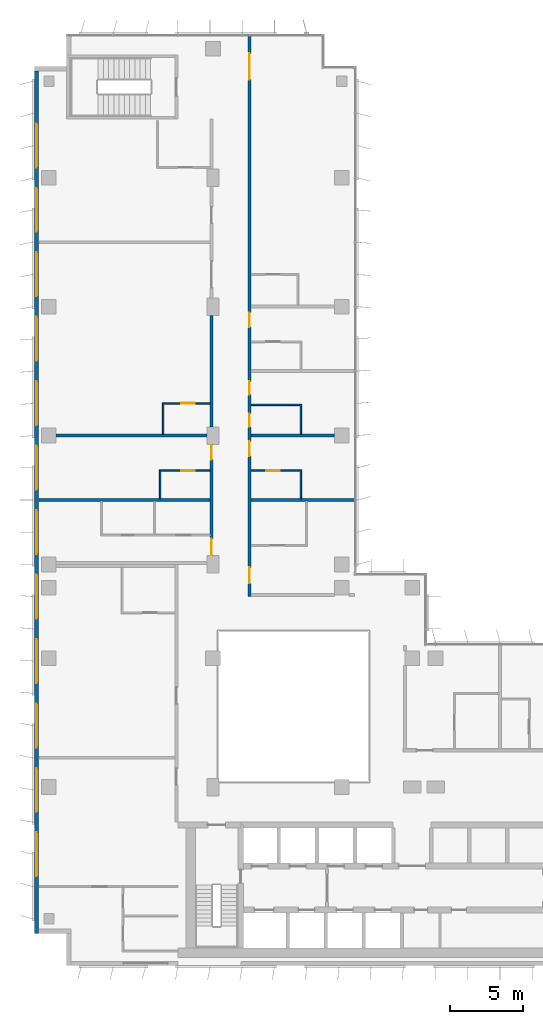
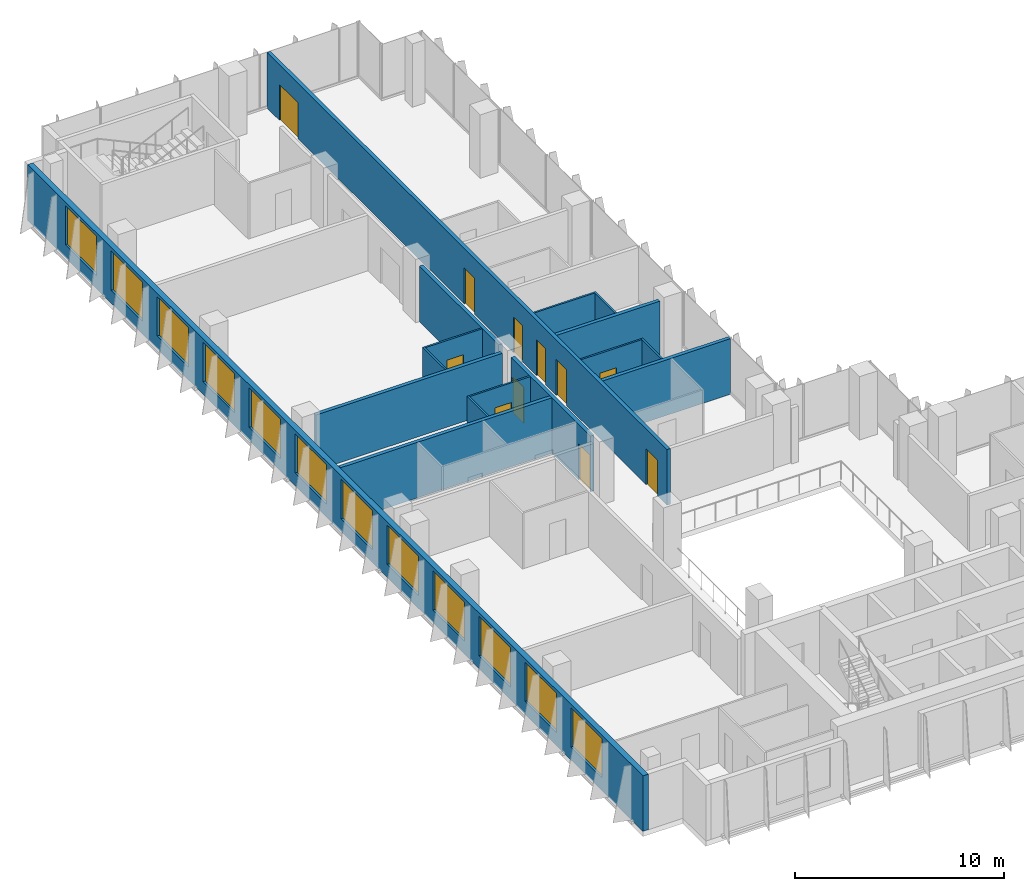
# One storey, part 16 of 21: 16 walls, 12 windows, 11 doors, 23 openings.
"""IFC4 building model written with IfcOpenShell, lengths in metres."""

from ifc_helpers import new_model, si_unit, direction, frame, frame_2d, origin, place, context, subcontext, project, spatial, rectangle, extrude, material, layer, layer_set, type_object, element, fill, save


model = new_model("IFC4")

# Units and contexts
model_context = context("Model", 3, precision=1e-05, world=origin(), true_north=direction((0.0, 1.0)))
body_context = subcontext(model_context, "Body", "Model", "MODEL_VIEW")
ifc_project = project(units=[si_unit("LENGTHUNIT", "METRE"), si_unit("AREAUNIT", "SQUARE_METRE"), si_unit("VOLUMEUNIT", "CUBIC_METRE"), si_unit("PLANEANGLEUNIT", "RADIAN"), si_unit("MASSUNIT", "GRAM", prefix="KILO")], contexts=[model_context])

# Site, building, storey
site_placement = place(None, origin())
site = spatial("IfcSite", under=ifc_project, at=site_placement, CompositionType="ELEMENT")
building_placement = place(site_placement, origin())
building = spatial("IfcBuilding", under=site, at=building_placement, Name="Kemantara Hotel Tower", CompositionType="ELEMENT")
storey_placement = place(building_placement, frame((0.0, 0.0, 198.800048828125)))
storey = spatial("IfcBuildingStorey", under=building, at=storey_placement, Name="L49", CompositionType="ELEMENT", Elevation=198.800048828125)

# Wall, openings, windows
ifc_material_1 = material(Name="Bronze anodised aluminium cladding on insulated steel stud wall", Category="steel")
ifc_layer_1 = layer(ifc_material_1, 0.300048828125)
ifc_layer_set_1 = layer_set([ifc_layer_1], Name="Bronze anodised aluminium cladding on insulated steel stud wall")
wall_type_1 = type_object("IfcWallType", Name="BRONZE METAL-CLAD EXTERNAL WALL 300", PredefinedType="STANDARD", material=ifc_layer_set_1)
wall_1_placement = place(storey_placement, frame((0.14990234375, 61.10009765625, 0.0), z_axis=(0.0, 0.0, 1.0), x_axis=(0.0, -1.0, 0.0)))
wall_1 = element("IfcWall", 1, at=wall_1_placement, inside=storey, type_object=wall_type_1, Name="EXTERNAL WALL L49 T3-R05", PredefinedType="STANDARD", context=body_context, shape_type="SweptSolid", body=[
    extrude(rectangle(XDim=58.900146484375, YDim=0.300048828125, at=frame_2d((29.4501953125, 0.0))), origin(), (0.0, 0.0, 1.0), 3.25),
])
opening_1_placement = place(wall_1_placement, frame((3.60009765625, 0.0, 0.75)))
opening_1 = element("IfcOpeningElement", 2, at=opening_1_placement, cuts=wall_1, Name="Opening W1", PredefinedType="OPENING", context=body_context, shape_type="SweptSolid", body=[
    extrude(rectangle(XDim=3.0, YDim=2.300048828125, at=frame_2d((1.5, 1.14990234375))), frame((0.0, 0.159912109375, 0.0), z_axis=(0.0, -1.0, 0.0), x_axis=(1.0, 0.0, 0.0)), (0.0, 0.0, 1.0), 0.320068359375),
])
opening_2_placement = place(wall_1_placement, frame((8.0, 0.0, 0.75)))
opening_2 = element("IfcOpeningElement", 3, at=opening_2_placement, cuts=wall_1, Name="Opening W1", PredefinedType="OPENING", context=body_context, shape_type="SweptSolid", body=[
    extrude(rectangle(XDim=3.0, YDim=2.300048828125, at=frame_2d((1.5, 1.14990234375))), frame((0.0, 0.159912109375, 0.0), z_axis=(0.0, -1.0, 0.0), x_axis=(1.0, 0.0, 0.0)), (0.0, 0.0, 1.0), 0.320068359375),
])
opening_3_placement = place(wall_1_placement, frame((12.39990234375, 0.0, 0.75)))
opening_3 = element("IfcOpeningElement", 4, at=opening_3_placement, cuts=wall_1, Name="Opening W1", PredefinedType="OPENING", context=body_context, shape_type="SweptSolid", body=[
    extrude(rectangle(XDim=3.0, YDim=2.300048828125, at=frame_2d((1.5, 1.14990234375))), frame((0.0, 0.159912109375, 0.0), z_axis=(0.0, -1.0, 0.0), x_axis=(1.0, 0.0, 0.0)), (0.0, 0.0, 1.0), 0.320068359375),
])
opening_4_placement = place(wall_1_placement, frame((16.800048828125, 0.0, 0.75)))
opening_4 = element("IfcOpeningElement", 5, at=opening_4_placement, cuts=wall_1, Name="Opening W1", PredefinedType="OPENING", context=body_context, shape_type="SweptSolid", body=[
    extrude(rectangle(XDim=3.0, YDim=2.300048828125, at=frame_2d((1.5, 1.14990234375))), frame((0.0, 0.159912109375, 0.0), z_axis=(0.0, -1.0, 0.0), x_axis=(1.0, 0.0, 0.0)), (0.0, 0.0, 1.0), 0.320068359375),
])
opening_5_placement = place(wall_1_placement, frame((21.199951171875, 0.0, 0.75)))
opening_5 = element("IfcOpeningElement", 6, at=opening_5_placement, cuts=wall_1, Name="Opening W1", PredefinedType="OPENING", context=body_context, shape_type="SweptSolid", body=[
    extrude(rectangle(XDim=3.0, YDim=2.300048828125, at=frame_2d((1.5, 1.14990234375))), frame((0.0, 0.159912109375, 0.0), z_axis=(0.0, -1.0, 0.0), x_axis=(1.0, 0.0, 0.0)), (0.0, 0.0, 1.0), 0.320068359375),
])
opening_6_placement = place(wall_1_placement, frame((25.60009765625, 0.0, 0.75)))
opening_6 = element("IfcOpeningElement", 7, at=opening_6_placement, cuts=wall_1, Name="Opening W1", PredefinedType="OPENING", context=body_context, shape_type="SweptSolid", body=[
    extrude(rectangle(XDim=3.0, YDim=2.300048828125, at=frame_2d((1.5, 1.14990234375))), frame((0.0, 0.159912109375, 0.0), z_axis=(0.0, -1.0, 0.0), x_axis=(1.0, 0.0, 0.0)), (0.0, 0.0, 1.0), 0.320068359375),
])
opening_7_placement = place(wall_1_placement, frame((30.0, 0.0, 0.75)))
opening_7 = element("IfcOpeningElement", 8, at=opening_7_placement, cuts=wall_1, Name="Opening W1", PredefinedType="OPENING", context=body_context, shape_type="SweptSolid", body=[
    extrude(rectangle(XDim=3.0, YDim=2.300048828125, at=frame_2d((1.5, 1.14990234375))), frame((0.0, 0.159912109375, 0.0), z_axis=(0.0, -1.0, 0.0), x_axis=(1.0, 0.0, 0.0)), (0.0, 0.0, 1.0), 0.320068359375),
])
opening_8_placement = place(wall_1_placement, frame((34.39990234375, 0.0, 0.75)))
opening_8 = element("IfcOpeningElement", 9, at=opening_8_placement, cuts=wall_1, Name="Opening W1", PredefinedType="OPENING", context=body_context, shape_type="SweptSolid", body=[
    extrude(rectangle(XDim=3.0, YDim=2.300048828125, at=frame_2d((1.5, 1.14990234375))), frame((0.0, 0.159912109375, 0.0), z_axis=(0.0, -1.0, 0.0), x_axis=(1.0, 0.0, 0.0)), (0.0, 0.0, 1.0), 0.320068359375),
])
opening_9_placement = place(wall_1_placement, frame((38.800048828125, 0.0, 0.75)))
opening_9 = element("IfcOpeningElement", 10, at=opening_9_placement, cuts=wall_1, Name="Opening W1", PredefinedType="OPENING", context=body_context, shape_type="SweptSolid", body=[
    extrude(rectangle(XDim=3.0, YDim=2.300048828125, at=frame_2d((1.5, 1.14990234375))), frame((0.0, 0.159912109375, 0.0), z_axis=(0.0, -1.0, 0.0), x_axis=(1.0, 0.0, 0.0)), (0.0, 0.0, 1.0), 0.320068359375),
])
opening_10_placement = place(wall_1_placement, frame((43.199951171875, 0.0, 0.75)))
opening_10 = element("IfcOpeningElement", 11, at=opening_10_placement, cuts=wall_1, Name="Opening W1", PredefinedType="OPENING", context=body_context, shape_type="SweptSolid", body=[
    extrude(rectangle(XDim=3.0, YDim=2.300048828125, at=frame_2d((1.5, 1.14990234375))), frame((0.0, 0.159912109375, 0.0), z_axis=(0.0, -1.0, 0.0), x_axis=(1.0, 0.0, 0.0)), (0.0, 0.0, 1.0), 0.320068359375),
])
opening_11_placement = place(wall_1_placement, frame((47.60009765625, 0.0, 0.75)))
opening_11 = element("IfcOpeningElement", 12, at=opening_11_placement, cuts=wall_1, Name="Opening W1", PredefinedType="OPENING", context=body_context, shape_type="SweptSolid", body=[
    extrude(rectangle(XDim=3.0, YDim=2.300048828125, at=frame_2d((1.5, 1.14990234375))), frame((0.0, 0.159912109375, 0.0), z_axis=(0.0, -1.0, 0.0), x_axis=(1.0, 0.0, 0.0)), (0.0, 0.0, 1.0), 0.320068359375),
])
opening_12_placement = place(wall_1_placement, frame((52.0, 0.0, 0.75)))
opening_12 = element("IfcOpeningElement", 13, at=opening_12_placement, cuts=wall_1, Name="Opening W1", PredefinedType="OPENING", context=body_context, shape_type="SweptSolid", body=[
    extrude(rectangle(XDim=3.0, YDim=2.300048828125, at=frame_2d((1.5, 1.14990234375))), frame((0.0, 0.159912109375, 0.0), z_axis=(0.0, -1.0, 0.0), x_axis=(1.0, 0.0, 0.0)), (0.0, 0.0, 1.0), 0.320068359375),
])
ifc_material_2 = material(Name="Low-E tinted double insulated glass in bronze anodised aluminium frame", Category="aluminium")
window_type = type_object("IfcWindowType", Name="CHICAGO WINDOW, TRIPLE PANEL 3000x2300", PartitioningType="TRIPLE_PANEL_VERTICAL", PredefinedType="WINDOW", material=ifc_material_2)
window_1_placement = place(opening_1_placement, origin())
window_1 = element("IfcWindow", 14, at=window_1_placement, inside=storey, type_object=window_type, Name="CHICAGO WINDOW L49 T3-R05-54", OverallHeight=2.300048828125, OverallWidth=3.0, PartitioningType="SINGLE_PANEL", PredefinedType="WINDOW", context=body_context, shape_type="SweptSolid", body=[
    extrude(rectangle(XDim=3.0, YDim=2.300048828125, at=frame_2d((1.5, 1.14990234375))), frame((0.0, 0.030029296875, 0.0), z_axis=(0.0, -1.0, 0.0), x_axis=(1.0, 0.0, 0.0)), (0.0, 0.0, 1.0), 0.06005859375),
])
fill(opening_1, window_1)
window_2_placement = place(opening_2_placement, origin())
window_2 = element("IfcWindow", 15, at=window_2_placement, inside=storey, type_object=window_type, Name="CHICAGO WINDOW L49 T3-R05-98", OverallHeight=2.300048828125, OverallWidth=3.0, PartitioningType="SINGLE_PANEL", PredefinedType="WINDOW", context=body_context, shape_type="SweptSolid", body=[
    extrude(rectangle(XDim=3.0, YDim=2.300048828125, at=frame_2d((1.5, 1.14990234375))), frame((0.0, 0.030029296875, 0.0), z_axis=(0.0, -1.0, 0.0), x_axis=(1.0, 0.0, 0.0)), (0.0, 0.0, 1.0), 0.06005859375),
])
fill(opening_2, window_2)
window_3_placement = place(opening_3_placement, origin())
window_3 = element("IfcWindow", 16, at=window_3_placement, inside=storey, type_object=window_type, Name="CHICAGO WINDOW L49 T3-R05-142", OverallHeight=2.300048828125, OverallWidth=3.0, PartitioningType="SINGLE_PANEL", PredefinedType="WINDOW", context=body_context, shape_type="SweptSolid", body=[
    extrude(rectangle(XDim=3.0, YDim=2.300048828125, at=frame_2d((1.5, 1.14990234375))), frame((0.0, 0.030029296875, 0.0), z_axis=(0.0, -1.0, 0.0), x_axis=(1.0, 0.0, 0.0)), (0.0, 0.0, 1.0), 0.06005859375),
])
fill(opening_3, window_3)
window_4_placement = place(opening_4_placement, origin())
window_4 = element("IfcWindow", 17, at=window_4_placement, inside=storey, type_object=window_type, Name="CHICAGO WINDOW L49 T3-R05-186", OverallHeight=2.300048828125, OverallWidth=3.0, PartitioningType="SINGLE_PANEL", PredefinedType="WINDOW", context=body_context, shape_type="SweptSolid", body=[
    extrude(rectangle(XDim=3.0, YDim=2.300048828125, at=frame_2d((1.5, 1.14990234375))), frame((0.0, 0.030029296875, 0.0), z_axis=(0.0, -1.0, 0.0), x_axis=(1.0, 0.0, 0.0)), (0.0, 0.0, 1.0), 0.06005859375),
])
fill(opening_4, window_4)
window_5_placement = place(opening_5_placement, origin())
window_5 = element("IfcWindow", 18, at=window_5_placement, inside=storey, type_object=window_type, Name="CHICAGO WINDOW L49 T3-R05-230", OverallHeight=2.300048828125, OverallWidth=3.0, PartitioningType="SINGLE_PANEL", PredefinedType="WINDOW", context=body_context, shape_type="SweptSolid", body=[
    extrude(rectangle(XDim=3.0, YDim=2.300048828125, at=frame_2d((1.5, 1.14990234375))), frame((0.0, 0.030029296875, 0.0), z_axis=(0.0, -1.0, 0.0), x_axis=(1.0, 0.0, 0.0)), (0.0, 0.0, 1.0), 0.06005859375),
])
fill(opening_5, window_5)
window_6_placement = place(opening_6_placement, origin())
window_6 = element("IfcWindow", 19, at=window_6_placement, inside=storey, type_object=window_type, Name="CHICAGO WINDOW L49 T3-R05-274", OverallHeight=2.300048828125, OverallWidth=3.0, PartitioningType="SINGLE_PANEL", PredefinedType="WINDOW", context=body_context, shape_type="SweptSolid", body=[
    extrude(rectangle(XDim=3.0, YDim=2.300048828125, at=frame_2d((1.5, 1.14990234375))), frame((0.0, 0.030029296875, 0.0), z_axis=(0.0, -1.0, 0.0), x_axis=(1.0, 0.0, 0.0)), (0.0, 0.0, 1.0), 0.06005859375),
])
fill(opening_6, window_6)
window_7_placement = place(opening_7_placement, origin())
window_7 = element("IfcWindow", 20, at=window_7_placement, inside=storey, type_object=window_type, Name="CHICAGO WINDOW L49 T3-R05-318", OverallHeight=2.300048828125, OverallWidth=3.0, PartitioningType="SINGLE_PANEL", PredefinedType="WINDOW", context=body_context, shape_type="SweptSolid", body=[
    extrude(rectangle(XDim=3.0, YDim=2.300048828125, at=frame_2d((1.5, 1.14990234375))), frame((0.0, 0.030029296875, 0.0), z_axis=(0.0, -1.0, 0.0), x_axis=(1.0, 0.0, 0.0)), (0.0, 0.0, 1.0), 0.06005859375),
])
fill(opening_7, window_7)
window_8_placement = place(opening_8_placement, origin())
window_8 = element("IfcWindow", 21, at=window_8_placement, inside=storey, type_object=window_type, Name="CHICAGO WINDOW L49 T3-R05-362", OverallHeight=2.300048828125, OverallWidth=3.0, PartitioningType="SINGLE_PANEL", PredefinedType="WINDOW", context=body_context, shape_type="SweptSolid", body=[
    extrude(rectangle(XDim=3.0, YDim=2.300048828125, at=frame_2d((1.5, 1.14990234375))), frame((0.0, 0.030029296875, 0.0), z_axis=(0.0, -1.0, 0.0), x_axis=(1.0, 0.0, 0.0)), (0.0, 0.0, 1.0), 0.06005859375),
])
fill(opening_8, window_8)
window_9_placement = place(opening_9_placement, origin())
window_9 = element("IfcWindow", 22, at=window_9_placement, inside=storey, type_object=window_type, Name="CHICAGO WINDOW L49 T3-R05-406", OverallHeight=2.300048828125, OverallWidth=3.0, PartitioningType="SINGLE_PANEL", PredefinedType="WINDOW", context=body_context, shape_type="SweptSolid", body=[
    extrude(rectangle(XDim=3.0, YDim=2.300048828125, at=frame_2d((1.5, 1.14990234375))), frame((0.0, 0.030029296875, 0.0), z_axis=(0.0, -1.0, 0.0), x_axis=(1.0, 0.0, 0.0)), (0.0, 0.0, 1.0), 0.06005859375),
])
fill(opening_9, window_9)
window_10_placement = place(opening_10_placement, origin())
window_10 = element("IfcWindow", 23, at=window_10_placement, inside=storey, type_object=window_type, Name="CHICAGO WINDOW L49 T3-R05-450", OverallHeight=2.300048828125, OverallWidth=3.0, PartitioningType="SINGLE_PANEL", PredefinedType="WINDOW", context=body_context, shape_type="SweptSolid", body=[
    extrude(rectangle(XDim=3.0, YDim=2.300048828125, at=frame_2d((1.5, 1.14990234375))), frame((0.0, 0.030029296875, 0.0), z_axis=(0.0, -1.0, 0.0), x_axis=(1.0, 0.0, 0.0)), (0.0, 0.0, 1.0), 0.06005859375),
])
fill(opening_10, window_10)
window_11_placement = place(opening_11_placement, origin())
window_11 = element("IfcWindow", 24, at=window_11_placement, inside=storey, type_object=window_type, Name="CHICAGO WINDOW L49 T3-R05-494", OverallHeight=2.300048828125, OverallWidth=3.0, PartitioningType="SINGLE_PANEL", PredefinedType="WINDOW", context=body_context, shape_type="SweptSolid", body=[
    extrude(rectangle(XDim=3.0, YDim=2.300048828125, at=frame_2d((1.5, 1.14990234375))), frame((0.0, 0.030029296875, 0.0), z_axis=(0.0, -1.0, 0.0), x_axis=(1.0, 0.0, 0.0)), (0.0, 0.0, 1.0), 0.06005859375),
])
fill(opening_11, window_11)
window_12_placement = place(opening_12_placement, origin())
window_12 = element("IfcWindow", 25, at=window_12_placement, inside=storey, type_object=window_type, Name="CHICAGO WINDOW L49 T3-R05-538", OverallHeight=2.300048828125, OverallWidth=3.0, PartitioningType="SINGLE_PANEL", PredefinedType="WINDOW", context=body_context, shape_type="SweptSolid", body=[
    extrude(rectangle(XDim=3.0, YDim=2.300048828125, at=frame_2d((1.5, 1.14990234375))), frame((0.0, 0.030029296875, 0.0), z_axis=(0.0, -1.0, 0.0), x_axis=(1.0, 0.0, 0.0)), (0.0, 0.0, 1.0), 0.06005859375),
])
fill(opening_12, window_12)

# Wall, openings, doors
ifc_material_3 = material(Name="Gypsum board partition, steel studs and mineral wool, 200 mm", Category="steel")
ifc_layer_2 = layer(ifc_material_3, 0.199951171875)
ifc_layer_set_2 = layer_set([ifc_layer_2], Name="Gypsum board partition, steel studs and mineral wool, 200 mm")
wall_type_2 = type_object("IfcWallType", Name="CORRIDOR WALL 200", PredefinedType="PARTITIONING", material=ifc_layer_set_2)
wall_2_placement = place(storey_placement, frame((12.10009765625, 28.0, 0.0), z_axis=(0.0, 0.0, 1.0), x_axis=(0.0, 1.0, 0.0)))
wall_2 = element("IfcWall", 26, at=wall_2_placement, inside=storey, type_object=wall_type_2, Name="CORRIDOR WALL 200 017", PredefinedType="PARTITIONING", context=body_context, shape_type="SweptSolid", body=[
    extrude(rectangle(XDim=7.599853515625, YDim=0.199951171875, at=frame_2d((3.7998046875, 0.0))), origin(), (0.0, 0.0, 1.0), 3.25),
])
opening_13_placement = place(wall_2_placement, frame((0.0498046875, 0.0, 0.0)))
opening_13 = element("IfcOpeningElement", 27, at=opening_13_placement, cuts=wall_2, Name="Opening F23-025", PredefinedType="OPENING", context=body_context, shape_type="SweptSolid", body=[
    extrude(rectangle(XDim=1.10009765625, YDim=2.10009765625, at=frame_2d((0.550048828125, 1.050048828125))), frame((0.0, 0.10986328125, 0.0), z_axis=(0.0, -1.0, 0.0), x_axis=(1.0, 0.0, 0.0)), (0.0, 0.0, 1.0), 0.219970703125),
])
opening_14_placement = place(wall_2_placement, frame((6.5498046875, 0.0, 0.0)))
opening_14 = element("IfcOpeningElement", 28, at=opening_14_placement, cuts=wall_2, Name="Opening F23-028", PredefinedType="OPENING", context=body_context, shape_type="SweptSolid", body=[
    extrude(rectangle(XDim=1.0, YDim=2.10009765625, at=frame_2d((0.5, 1.050048828125))), frame((0.0, 0.10986328125, 0.0), z_axis=(0.0, -1.0, 0.0), x_axis=(1.0, 0.0, 0.0)), (0.0, 0.0, 1.0), 0.219970703125),
])
ifc_material_4 = material(Name="Hardwood veneer door leaf with steel frame", Category="steel")
door_type_1 = type_object("IfcDoorType", Name="GUEST ROOM DOOR 1000 X 2100 FD30S", OperationType="NOTDEFINED", PredefinedType="DOOR", material=ifc_material_4)
door_1_placement = place(opening_14_placement, origin())
door_1 = element("IfcDoor", 29, at=door_1_placement, inside=storey, type_object=door_type_1, Name="GUEST ROOM DOOR F23-028", OperationType="SINGLE_SWING_RIGHT", OverallHeight=2.10009765625, OverallWidth=1.0, PredefinedType="DOOR", context=body_context, shape_type="SweptSolid", body=[
    extrude(rectangle(XDim=1.0, YDim=2.10009765625, at=frame_2d((0.5, 1.050048828125))), frame((0.0, 0.02490234375, 0.0), z_axis=(0.0, -1.0, 0.0), x_axis=(1.0, 0.0, 0.0)), (0.0, 0.0, 1.0), 0.050048828125),
])
fill(opening_14, door_1)
door_type_2 = type_object("IfcDoorType", Name="GUEST ROOM DOOR 1100 X 2100 FD30S", OperationType="NOTDEFINED", PredefinedType="DOOR", material=ifc_material_4)
door_2_placement = place(opening_13_placement, origin())
door_2 = element("IfcDoor", 30, at=door_2_placement, inside=storey, type_object=door_type_2, Name="GUEST ROOM DOOR F23-025", OperationType="SINGLE_SWING_LEFT", OverallHeight=2.10009765625, OverallWidth=1.10009765625, PredefinedType="DOOR", context=body_context, shape_type="SweptSolid", body=[
    extrude(rectangle(XDim=1.10009765625, YDim=2.10009765625, at=frame_2d((0.550048828125, 1.050048828125))), frame((0.0, 0.02490234375, 0.0), z_axis=(0.0, -1.0, 0.0), x_axis=(1.0, 0.0, 0.0)), (0.0, 0.0, 1.0), 0.050048828125),
])
fill(opening_13, door_2)

# Wall
wall_3_placement = place(storey_placement, frame((12.10009765625, 36.800048828125, 0.0), z_axis=(0.0, 0.0, 1.0), x_axis=(0.0, 1.0, 0.0)))
element("IfcWall", 31, at=wall_3_placement, inside=storey, type_object=wall_type_2, Name="CORRIDOR WALL 200 018", PredefinedType="PARTITIONING", context=body_context, shape_type="SweptSolid", body=[
    extrude(rectangle(XDim=7.599853515625, YDim=0.199951171875, at=frame_2d((3.7998046875, 0.0))), origin(), (0.0, 0.0, 1.0), 3.25),
])

# Wall, openings, doors
wall_4_placement = place(storey_placement, frame((14.699951171875, 63.47998046875, 0.0), z_axis=(0.0, 0.0, 1.0), x_axis=(0.0, -1.0, 0.0)))
wall_4 = element("IfcWall", 32, at=wall_4_placement, inside=storey, type_object=wall_type_2, Name="CORRIDOR WALL 200 027", PredefinedType="PARTITIONING", context=body_context, shape_type="SweptSolid", body=[
    extrude(rectangle(XDim=38.280029296875, YDim=0.199951171875, at=frame_2d((19.14013671875, 0.0))), origin(), (0.0, 0.0, 1.0), 3.25),
])
opening_15_placement = place(wall_4_placement, frame((36.27978515625, 0.0, 0.0)))
opening_15 = element("IfcOpeningElement", 33, at=opening_15_placement, cuts=wall_4, Name="Opening F23-034", PredefinedType="OPENING", context=body_context, shape_type="SweptSolid", body=[
    extrude(rectangle(XDim=1.10009765625, YDim=2.10009765625, at=frame_2d((0.550048828125, 1.050048828125))), frame((0.0, 0.10986328125, 0.0), z_axis=(0.0, -1.0, 0.0), x_axis=(1.0, 0.0, 0.0)), (0.0, 0.0, 1.0), 0.219970703125),
])
opening_16_placement = place(wall_4_placement, frame((27.679931640625, 0.0, 0.0)))
opening_16 = element("IfcOpeningElement", 34, at=opening_16_placement, cuts=wall_4, Name="Opening F23-036", PredefinedType="OPENING", context=body_context, shape_type="SweptSolid", body=[
    extrude(rectangle(XDim=1.0, YDim=2.10009765625, at=frame_2d((0.5, 1.050048828125))), frame((0.0, 0.10986328125, 0.0), z_axis=(0.0, -1.0, 0.0), x_axis=(1.0, 0.0, 0.0)), (0.0, 0.0, 1.0), 0.219970703125),
])
opening_17_placement = place(wall_4_placement, frame((23.579833984375, 0.0, 0.0)))
opening_17 = element("IfcOpeningElement", 35, at=opening_17_placement, cuts=wall_4, Name="Opening F23-038", PredefinedType="OPENING", context=body_context, shape_type="SweptSolid", body=[
    extrude(rectangle(XDim=0.89990234375, YDim=2.10009765625, at=frame_2d((0.449951171875, 1.050048828125))), frame((0.0, 0.10986328125, 0.0), z_axis=(0.0, -1.0, 0.0), x_axis=(1.0, 0.0, 0.0)), (0.0, 0.0, 1.0), 0.219970703125),
])
opening_18_placement = place(wall_4_placement, frame((25.77978515625, 0.0, 0.0)))
opening_18 = element("IfcOpeningElement", 36, at=opening_18_placement, cuts=wall_4, Name="Opening F23-039", PredefinedType="OPENING", context=body_context, shape_type="SweptSolid", body=[
    extrude(rectangle(XDim=0.89990234375, YDim=2.10009765625, at=frame_2d((0.449951171875, 1.050048828125))), frame((0.0, 0.10986328125, 0.0), z_axis=(0.0, -1.0, 0.0), x_axis=(1.0, 0.0, 0.0)), (0.0, 0.0, 1.0), 0.219970703125),
])
opening_19_placement = place(wall_4_placement, frame((18.8798828125, 0.0, 0.0)))
opening_19 = element("IfcOpeningElement", 37, at=opening_19_placement, cuts=wall_4, Name="Opening F23-040", PredefinedType="OPENING", context=body_context, shape_type="SweptSolid", body=[
    extrude(rectangle(XDim=1.0, YDim=2.10009765625, at=frame_2d((0.5, 1.050048828125))), frame((0.0, 0.10986328125, 0.0), z_axis=(0.0, -1.0, 0.0), x_axis=(1.0, 0.0, 0.0)), (0.0, 0.0, 1.0), 0.219970703125),
])
opening_20_placement = place(wall_4_placement, frame((1.179931640625, 0.0, 0.0)))
opening_20 = element("IfcOpeningElement", 38, at=opening_20_placement, cuts=wall_4, Name="Opening F23-042", PredefinedType="OPENING", context=body_context, shape_type="SweptSolid", body=[
    extrude(rectangle(XDim=1.800048828125, YDim=2.10009765625, at=frame_2d((0.89990234375, 1.050048828125))), frame((0.0, 0.10986328125, 0.0), z_axis=(0.0, -1.0, 0.0), x_axis=(1.0, 0.0, 0.0)), (0.0, 0.0, 1.0), 0.219970703125),
])
door_type_3 = type_object("IfcDoorType", Name="AMENITY ROOM DOOR 1800 X 2100 FD30S", OperationType="NOTDEFINED", PredefinedType="DOOR", material=ifc_material_4)
door_3_placement = place(opening_20_placement, origin())
door_3 = element("IfcDoor", 39, at=door_3_placement, inside=storey, type_object=door_type_3, Name="AMENITY ROOM DOOR F23-042", OperationType="DOUBLE_DOOR_SINGLE_SWING", OverallHeight=2.10009765625, OverallWidth=1.800048828125, PredefinedType="DOOR", context=body_context, shape_type="SweptSolid", body=[
    extrude(rectangle(XDim=1.800048828125, YDim=2.10009765625, at=frame_2d((0.89990234375, 1.050048828125))), frame((0.0, 0.02490234375, 0.0), z_axis=(0.0, -1.0, 0.0), x_axis=(1.0, 0.0, 0.0)), (0.0, 0.0, 1.0), 0.050048828125),
])
fill(opening_20, door_3)
door_4_placement = place(opening_16_placement, origin())
door_4 = element("IfcDoor", 40, at=door_4_placement, inside=storey, type_object=door_type_1, Name="GUEST ROOM DOOR F23-036", OperationType="SINGLE_SWING_LEFT", OverallHeight=2.10009765625, OverallWidth=1.0, PredefinedType="DOOR", context=body_context, shape_type="SweptSolid", body=[
    extrude(rectangle(XDim=1.0, YDim=2.10009765625, at=frame_2d((0.5, 1.050048828125))), frame((0.0, 0.02490234375, 0.0), z_axis=(0.0, -1.0, 0.0), x_axis=(1.0, 0.0, 0.0)), (0.0, 0.0, 1.0), 0.050048828125),
])
fill(opening_16, door_4)
door_5_placement = place(opening_19_placement, origin())
door_5 = element("IfcDoor", 41, at=door_5_placement, inside=storey, type_object=door_type_1, Name="GUEST ROOM DOOR F23-040", OperationType="SINGLE_SWING_LEFT", OverallHeight=2.10009765625, OverallWidth=1.0, PredefinedType="DOOR", context=body_context, shape_type="SweptSolid", body=[
    extrude(rectangle(XDim=1.0, YDim=2.10009765625, at=frame_2d((0.5, 1.050048828125))), frame((0.0, 0.02490234375, 0.0), z_axis=(0.0, -1.0, 0.0), x_axis=(1.0, 0.0, 0.0)), (0.0, 0.0, 1.0), 0.050048828125),
])
fill(opening_19, door_5)
door_6_placement = place(opening_15_placement, origin())
door_6 = element("IfcDoor", 42, at=door_6_placement, inside=storey, type_object=door_type_2, Name="GUEST ROOM DOOR F23-034", OperationType="SINGLE_SWING_RIGHT", OverallHeight=2.10009765625, OverallWidth=1.10009765625, PredefinedType="DOOR", context=body_context, shape_type="SweptSolid", body=[
    extrude(rectangle(XDim=1.10009765625, YDim=2.10009765625, at=frame_2d((0.550048828125, 1.050048828125))), frame((0.0, 0.02490234375, 0.0), z_axis=(0.0, -1.0, 0.0), x_axis=(1.0, 0.0, 0.0)), (0.0, 0.0, 1.0), 0.050048828125),
])
fill(opening_15, door_6)
ifc_material_5 = material(Name="Steel door leaf with steel frame", Category="steel")
door_type_4 = type_object("IfcDoorType", Name="SERVICE ROOM DOOR 900 X 2100 FD60", OperationType="NOTDEFINED", PredefinedType="DOOR", material=ifc_material_5)
door_7_placement = place(opening_17_placement, origin())
door_7 = element("IfcDoor", 43, at=door_7_placement, inside=storey, type_object=door_type_4, Name="SERVICE ROOM DOOR F23-038", OperationType="SINGLE_SWING_LEFT", OverallHeight=2.10009765625, OverallWidth=0.89990234375, PredefinedType="DOOR", context=body_context, shape_type="SweptSolid", body=[
    extrude(rectangle(XDim=0.89990234375, YDim=2.10009765625, at=frame_2d((0.449951171875, 1.050048828125))), frame((0.0, 0.02490234375, 0.0), z_axis=(0.0, -1.0, 0.0), x_axis=(1.0, 0.0, 0.0)), (0.0, 0.0, 1.0), 0.050048828125),
])
fill(opening_17, door_7)
door_8_placement = place(opening_18_placement, origin())
door_8 = element("IfcDoor", 44, at=door_8_placement, inside=storey, type_object=door_type_4, Name="SERVICE ROOM DOOR F23-039", OperationType="SINGLE_SWING_RIGHT", OverallHeight=2.10009765625, OverallWidth=0.89990234375, PredefinedType="DOOR", context=body_context, shape_type="SweptSolid", body=[
    extrude(rectangle(XDim=0.89990234375, YDim=2.10009765625, at=frame_2d((0.449951171875, 1.050048828125))), frame((0.0, 0.02490234375, 0.0), z_axis=(0.0, -1.0, 0.0), x_axis=(1.0, 0.0, 0.0)), (0.0, 0.0, 1.0), 0.050048828125),
])
fill(opening_18, door_8)

# Walls
ifc_layer_3 = layer(ifc_material_3, 0.199951171875)
ifc_layer_set_3 = layer_set([ifc_layer_3], Name="Gypsum board partition, steel studs and mineral wool, 200 mm")
wall_type_3 = type_object("IfcWallType", Name="GUEST ROOM PARTY WALL 200", PredefinedType="PARTITIONING", material=ifc_layer_set_3)
wall_5_placement = place(storey_placement, frame((0.31005859375, 31.800048828125, 0.0), z_axis=(0.0, 0.0, 1.0), x_axis=(1.0, 0.0, 0.0)))
element("IfcWall", 45, at=wall_5_placement, inside=storey, type_object=wall_type_3, Name="GUEST ROOM PARTY WALL 200 022", PredefinedType="PARTITIONING", context=body_context, shape_type="SweptSolid", body=[
    extrude(rectangle(XDim=11.68994140625, YDim=0.199951171875, at=frame_2d((5.844970703125, 0.0))), origin(), (0.0, 0.0, 1.0), 3.25),
])
wall_6_placement = place(storey_placement, frame((14.800048828125, 31.800048828125, 0.0), z_axis=(0.0, 0.0, 1.0), x_axis=(1.0, 0.0, 0.0)))
element("IfcWall", 46, at=wall_6_placement, inside=storey, type_object=wall_type_3, Name="GUEST ROOM PARTY WALL 200 023", PredefinedType="PARTITIONING", context=body_context, shape_type="SweptSolid", body=[
    extrude(rectangle(XDim=7.070068359375, YDim=0.199951171875, at=frame_2d((3.53515625, 0.0))), origin(), (0.0, 0.0, 1.0), 3.25),
])
wall_7_placement = place(storey_placement, frame((1.5, 36.199951171875, 0.0), z_axis=(0.0, 0.0, 1.0), x_axis=(1.0, 0.0, 0.0)))
element("IfcWall", 47, at=wall_7_placement, inside=storey, type_object=wall_type_3, Name="GUEST ROOM PARTY WALL 200 024", PredefinedType="PARTITIONING", context=body_context, shape_type="SweptSolid", body=[
    extrude(rectangle(XDim=10.2998046875, YDim=0.199951171875, at=frame_2d((5.14990234375, 0.0))), origin(), (0.0, 0.0, 1.0), 3.25),
])
wall_8_placement = place(storey_placement, frame((14.800048828125, 36.199951171875, 0.0), z_axis=(0.0, 0.0, 1.0), x_axis=(1.0, 0.0, 0.0)))
element("IfcWall", 48, at=wall_8_placement, inside=storey, type_object=wall_type_3, Name="GUEST ROOM PARTY WALL 200 025", PredefinedType="PARTITIONING", context=body_context, shape_type="SweptSolid", body=[
    extrude(rectangle(XDim=5.699951171875, YDim=0.199951171875, at=frame_2d((2.85009765625, 0.0))), origin(), (0.0, 0.0, 1.0), 3.25),
])
ifc_material_6 = material(Name="Gypsum board partition on steel studs, 100 mm", Category="steel")
ifc_layer_4 = layer(ifc_material_6, 0.10009765625)
ifc_layer_set_4 = layer_set([ifc_layer_4], Name="Gypsum board partition on steel studs, 100 mm")
wall_type_4 = type_object("IfcWallType", Name="ROOM PARTITION 100", PredefinedType="PARTITIONING", material=ifc_layer_set_4)
wall_9_placement = place(storey_placement, frame((8.60009765625, 31.89990234375, 0.0), z_axis=(0.0, 0.0, 1.0), x_axis=(0.0, 1.0, 0.0)))
element("IfcWall", 49, at=wall_9_placement, inside=storey, type_object=wall_type_4, Name="ROOM PARTITION 100 060", PredefinedType="PARTITIONING", context=body_context, shape_type="SweptSolid", body=[
    extrude(rectangle(XDim=1.9501953125, YDim=0.10009765625, at=frame_2d((0.97509765625, 0.0))), origin(), (0.0, 0.0, 1.0), 3.25),
])

# Wall, opening, door
wall_10_placement = place(storey_placement, frame((12.0, 33.800048828125, 0.0), z_axis=(0.0, 0.0, 1.0), x_axis=(-1.0, 0.0, 0.0)))
wall_10 = element("IfcWall", 50, at=wall_10_placement, inside=storey, type_object=wall_type_4, Name="ROOM PARTITION 100 061", PredefinedType="PARTITIONING", context=body_context, shape_type="SweptSolid", body=[
    extrude(rectangle(XDim=3.35009765625, YDim=0.10009765625, at=frame_2d((1.675048828125, 0.0))), origin(), (0.0, 0.0, 1.0), 3.25),
])
opening_21_placement = place(wall_10_placement, frame((1.050048828125, 0.0, 0.0)))
opening_21 = element("IfcOpeningElement", 51, at=opening_21_placement, cuts=wall_10, Name="Opening F23-029", PredefinedType="OPENING", context=body_context, shape_type="SweptSolid", body=[
    extrude(rectangle(XDim=0.89990234375, YDim=2.10009765625, at=frame_2d((0.449951171875, 1.050048828125))), frame((0.0, 0.06005859375, 0.0), z_axis=(0.0, -1.0, 0.0), x_axis=(1.0, 0.0, 0.0)), (0.0, 0.0, 1.0), 0.1201171875),
])
door_type_5 = type_object("IfcDoorType", Name="BATHROOM DOOR 900 X 2100", OperationType="NOTDEFINED", PredefinedType="DOOR", material=ifc_material_4)
door_9_placement = place(opening_21_placement, origin())
door_9 = element("IfcDoor", 52, at=door_9_placement, inside=storey, type_object=door_type_5, Name="BATHROOM DOOR F23-029", OperationType="SINGLE_SWING_LEFT", OverallHeight=2.10009765625, OverallWidth=0.89990234375, PredefinedType="DOOR", context=body_context, shape_type="SweptSolid", body=[
    extrude(rectangle(XDim=0.89990234375, YDim=2.10009765625, at=frame_2d((0.449951171875, 1.050048828125))), frame((0.0, 0.02490234375, 0.0), z_axis=(0.0, -1.0, 0.0), x_axis=(1.0, 0.0, 0.0)), (0.0, 0.0, 1.0), 0.050048828125),
])
fill(opening_21, door_9)

wall_11_placement = place(storey_placement, frame((18.14990234375, 33.800048828125, 0.0), z_axis=(0.0, 0.0, 1.0), x_axis=(-1.0, 0.0, 0.0)))
wall_11 = element("IfcWall", 53, at=wall_11_placement, inside=storey, type_object=wall_type_4, Name="ROOM PARTITION 100 062", PredefinedType="PARTITIONING", context=body_context, shape_type="SweptSolid", body=[
    extrude(rectangle(XDim=3.349853515625, YDim=0.10009765625, at=frame_2d((1.6748046875, 0.0))), origin(), (0.0, 0.0, 1.0), 3.25),
])
opening_22_placement = place(wall_11_placement, frame((1.39990234375, 0.0, 0.0)))
opening_22 = element("IfcOpeningElement", 54, at=opening_22_placement, cuts=wall_11, Name="Opening F23-037", PredefinedType="OPENING", context=body_context, shape_type="SweptSolid", body=[
    extrude(rectangle(XDim=0.89990234375, YDim=2.10009765625, at=frame_2d((0.449951171875, 1.050048828125))), frame((0.0, 0.06005859375, 0.0), z_axis=(0.0, -1.0, 0.0), x_axis=(1.0, 0.0, 0.0)), (0.0, 0.0, 1.0), 0.1201171875),
])
door_10_placement = place(opening_22_placement, origin())
door_10 = element("IfcDoor", 55, at=door_10_placement, inside=storey, type_object=door_type_5, Name="BATHROOM DOOR F23-037", OperationType="SINGLE_SWING_RIGHT", OverallHeight=2.10009765625, OverallWidth=0.89990234375, PredefinedType="DOOR", context=body_context, shape_type="SweptSolid", body=[
    extrude(rectangle(XDim=0.89990234375, YDim=2.10009765625, at=frame_2d((0.449951171875, 1.050048828125))), frame((0.0, 0.02490234375, 0.0), z_axis=(0.0, -1.0, 0.0), x_axis=(1.0, 0.0, 0.0)), (0.0, 0.0, 1.0), 0.050048828125),
])
fill(opening_22, door_10)

# Wall
wall_12_placement = place(storey_placement, frame((8.800048828125, 36.300048828125, 0.0), z_axis=(0.0, 0.0, 1.0), x_axis=(0.0, 1.0, 0.0)))
element("IfcWall", 56, at=wall_12_placement, inside=storey, type_object=wall_type_4, Name="ROOM PARTITION 100 063", PredefinedType="PARTITIONING", context=body_context, shape_type="SweptSolid", body=[
    extrude(rectangle(XDim=2.14990234375, YDim=0.10009765625, at=frame_2d((1.074951171875, 0.0))), origin(), (0.0, 0.0, 1.0), 3.25),
])

# Wall, opening, door
wall_13_placement = place(storey_placement, frame((12.0, 38.39990234375, 0.0), z_axis=(0.0, 0.0, 1.0), x_axis=(-1.0, 0.0, 0.0)))
wall_13 = element("IfcWall", 57, at=wall_13_placement, inside=storey, type_object=wall_type_4, Name="ROOM PARTITION 100 064", PredefinedType="PARTITIONING", context=body_context, shape_type="SweptSolid", body=[
    extrude(rectangle(XDim=3.14990234375, YDim=0.10009765625, at=frame_2d((1.574951171875, 0.0))), origin(), (0.0, 0.0, 1.0), 3.25),
])
opening_23_placement = place(wall_13_placement, frame((1.050048828125, 0.0, 0.0)))
opening_23 = element("IfcOpeningElement", 58, at=opening_23_placement, cuts=wall_13, Name="Opening F23-031", PredefinedType="OPENING", context=body_context, shape_type="SweptSolid", body=[
    extrude(rectangle(XDim=0.89990234375, YDim=2.10009765625, at=frame_2d((0.449951171875, 1.050048828125))), frame((0.0, 0.06005859375, 0.0), z_axis=(0.0, -1.0, 0.0), x_axis=(1.0, 0.0, 0.0)), (0.0, 0.0, 1.0), 0.1201171875),
])
door_type_6 = type_object("IfcDoorType", Name="PANTRY DOOR 900 X 2100", OperationType="NOTDEFINED", PredefinedType="DOOR", material=ifc_material_4)
door_11_placement = place(opening_23_placement, origin())
door_11 = element("IfcDoor", 59, at=door_11_placement, inside=storey, type_object=door_type_6, Name="PANTRY DOOR F23-031", OperationType="SINGLE_SWING_LEFT", OverallHeight=2.10009765625, OverallWidth=0.89990234375, PredefinedType="DOOR", context=body_context, shape_type="SweptSolid", body=[
    extrude(rectangle(XDim=0.89990234375, YDim=2.10009765625, at=frame_2d((0.449951171875, 1.050048828125))), frame((0.0, 0.02490234375, 0.0), z_axis=(0.0, -1.0, 0.0), x_axis=(1.0, 0.0, 0.0)), (0.0, 0.0, 1.0), 0.050048828125),
])
fill(opening_23, door_11)

# Walls
wall_14_placement = place(storey_placement, frame((18.199951171875, 31.89990234375, 0.0), z_axis=(0.0, 0.0, 1.0), x_axis=(0.0, 1.0, 0.0)))
element("IfcWall", 60, at=wall_14_placement, inside=storey, type_object=wall_type_4, Name="ROOM PARTITION 100 069", PredefinedType="PARTITIONING", context=body_context, shape_type="SweptSolid", body=[
    extrude(rectangle(XDim=1.9501953125, YDim=0.10009765625, at=frame_2d((0.97509765625, 0.0))), origin(), (0.0, 0.0, 1.0), 3.25),
])
wall_15_placement = place(storey_placement, frame((18.199951171875, 36.300048828125, 0.0), z_axis=(0.0, 0.0, 1.0), x_axis=(0.0, 1.0, 0.0)))
element("IfcWall", 61, at=wall_15_placement, inside=storey, type_object=wall_type_4, Name="ROOM PARTITION 100 070", PredefinedType="PARTITIONING", context=body_context, shape_type="SweptSolid", body=[
    extrude(rectangle(XDim=2.050048828125, YDim=0.10009765625, at=frame_2d((1.02490234375, 0.0))), origin(), (0.0, 0.0, 1.0), 3.25),
])
wall_16_placement = place(storey_placement, frame((14.800048828125, 38.300048828125, 0.0), z_axis=(0.0, 0.0, 1.0), x_axis=(1.0, 0.0, 0.0)))
element("IfcWall", 62, at=wall_16_placement, inside=storey, type_object=wall_type_4, Name="ROOM PARTITION 100 072", PredefinedType="PARTITIONING", context=body_context, shape_type="SweptSolid", body=[
    extrude(rectangle(XDim=3.349853515625, YDim=0.10009765625, at=frame_2d((1.6748046875, 0.0))), origin(), (0.0, 0.0, 1.0), 3.25),
])

save(model, "model.ifc")
